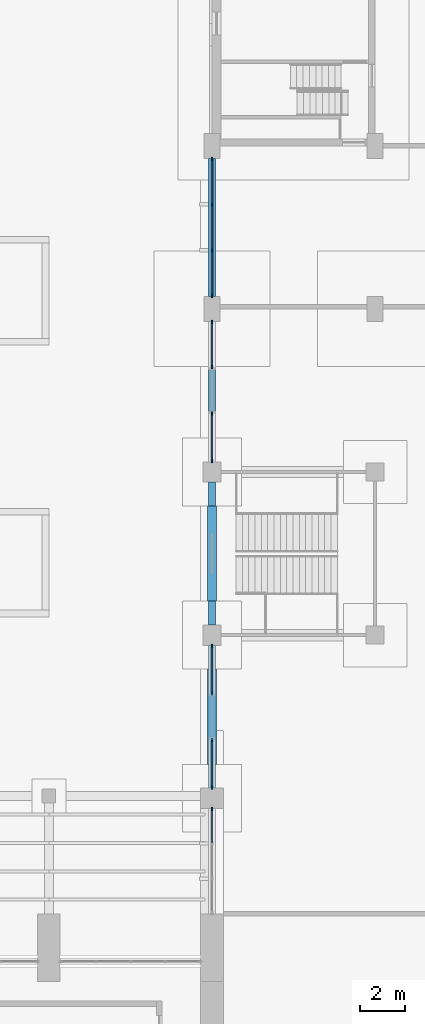
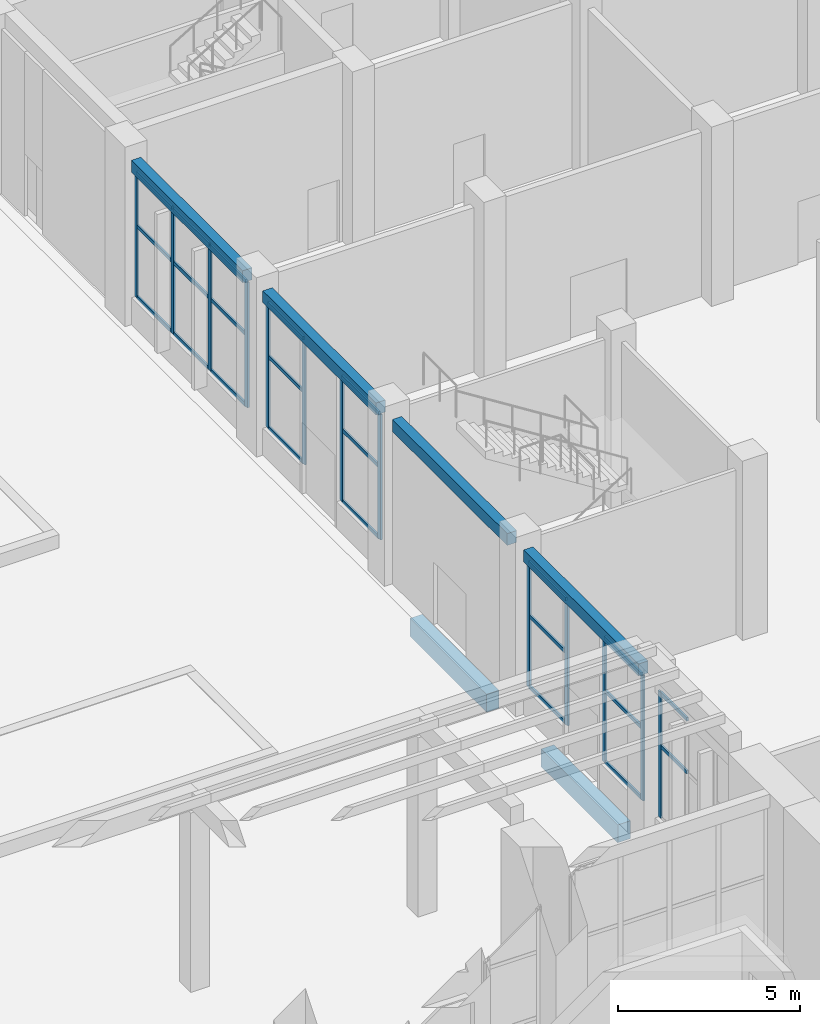
# One storey, part 22 of 70: 36 members, 6 beams, 6 elements without a shape of their own.
"""IFC4 building model written with IfcOpenShell, lengths in metres."""

from ifc_helpers import new_model, si_unit, direction, frame, origin, origin_2d, place, context, subcontext, project, spatial, rectangle, extrude, material, layer, layer_set, material_profile, profile_set, type_object, element, aggregate, save


model = new_model("IFC4")

# Units and contexts
model_context = context("Model", 3, precision=1e-05, world=origin(), true_north=direction((0.0, 1.0)))
body_context = subcontext(model_context, "Body", "Model", "MODEL_VIEW")
ifc_project = project(units=[si_unit("LENGTHUNIT", "METRE"), si_unit("AREAUNIT", "SQUARE_METRE"), si_unit("VOLUMEUNIT", "CUBIC_METRE"), si_unit("PLANEANGLEUNIT", "RADIAN"), si_unit("MASSUNIT", "GRAM", prefix="KILO")], contexts=[model_context])

# Site, building, storey
site_placement = place(None, origin())
site = spatial("IfcSite", under=ifc_project, at=site_placement, CompositionType="ELEMENT")
building_placement = place(site_placement, origin())
building = spatial("IfcBuilding", under=site, at=building_placement, Name="Vermilion Court Aquatics Centre", CompositionType="ELEMENT")
storey_placement = place(building_placement, origin())
storey = spatial("IfcBuildingStorey", under=building, at=storey_placement, Name="L00", CompositionType="ELEMENT", Elevation=0.0)

# Curtain wall, member
ifc_material_1 = material(Name="Aluminium 6063-T5", Category="aluminium")
ifc_layer = layer(ifc_material_1, 0.14990234375)
ifc_layer_set = layer_set([ifc_layer], Name="Podium curtain wall bay, 1800 module")
curtain_wall_type = type_object("IfcCurtainWallType", Name="Podium curtain wall bay, 1800 module", PredefinedType="NOTDEFINED", material=ifc_layer_set)
curtain_wall_1_placement = place(storey_placement, origin())
curtain_wall_1 = element("IfcCurtainWall", 1, at=curtain_wall_1_placement, inside=storey, type_object=curtain_wall_type, Name="Curtain wall L00", PredefinedType="NOTDEFINED")
ifc_material_2 = material(Name="Aluminium 6063-T5", Category="aluminium")
ifc_material_profile_1 = material_profile(ifc_material_2, rectangle(XDim=0.06005859375, YDim=0.159912109375, at=origin_2d()), Name="Mullion 60x160")
ifc_profile_set_1 = profile_set([ifc_material_profile_1], Name="Aluminium 6063-T5")
member_type_1 = type_object("IfcMemberType", Name="Podium curtain wall mullion 60x160", PredefinedType="MULLION", material=ifc_profile_set_1)
member_1_placement = place(storey_placement, frame((144.0, 71.52001953125, 0.89990234375), z_axis=(0.0, 0.0, 1.0), x_axis=(-1.0, 0.0, 0.0)))
member_1 = element("IfcMember", 2, at=member_1_placement, type_object=member_type_1, Name="PG2 mullion 4", PredefinedType="MULLION", context=body_context, shape_type="SweptSolid", body=[
    extrude(rectangle(XDim=0.06005859375, YDim=0.159912109375, at=origin_2d()), origin(), (0.0, 0.0, 1.0), 4.2001953125),
])

# Curtain wall, members
curtain_wall_2_placement = place(storey_placement, origin())
curtain_wall_2 = element("IfcCurtainWall", 3, at=curtain_wall_2_placement, inside=storey, type_object=curtain_wall_type, Name="Curtain wall L00", PredefinedType="NOTDEFINED")
member_2_placement = place(storey_placement, frame((144.0, 72.47998046875, 0.89990234375), z_axis=(0.0, 0.0, 1.0), x_axis=(-1.0, 0.0, 0.0)))
member_2 = element("IfcMember", 4, at=member_2_placement, type_object=member_type_1, Name="PG2 mullion 1", PredefinedType="MULLION", context=body_context, shape_type="SweptSolid", body=[
    extrude(rectangle(XDim=0.06005859375, YDim=0.159912109375, at=origin_2d()), origin(), (0.0, 0.0, 1.0), 4.2001953125),
])
member_3_placement = place(storey_placement, frame((144.0, 74.570068359375, 0.89990234375), z_axis=(0.0, 0.0, 1.0), x_axis=(-1.0, 0.0, 0.0)))
member_3 = element("IfcMember", 5, at=member_3_placement, type_object=member_type_1, Name="PG2 mullion 2", PredefinedType="MULLION", context=body_context, shape_type="SweptSolid", body=[
    extrude(rectangle(XDim=0.06005859375, YDim=0.159912109375, at=origin_2d()), origin(), (0.0, 0.0, 1.0), 4.2001953125),
])

curtain_wall_3_placement = place(storey_placement, origin())
curtain_wall_3 = element("IfcCurtainWall", 6, at=curtain_wall_3_placement, inside=storey, type_object=curtain_wall_type, Name="Curtain wall L00", PredefinedType="NOTDEFINED")
member_4_placement = place(storey_placement, frame((144.0, 76.6298828125, 0.89990234375), z_axis=(0.0, 0.0, 1.0), x_axis=(-1.0, 0.0, 0.0)))
member_4 = element("IfcMember", 7, at=member_4_placement, type_object=member_type_1, Name="PG2 mullion 1", PredefinedType="MULLION", context=body_context, shape_type="SweptSolid", body=[
    extrude(rectangle(XDim=0.06005859375, YDim=0.159912109375, at=origin_2d()), origin(), (0.0, 0.0, 1.0), 4.2001953125),
])
member_5_placement = place(storey_placement, frame((144.0, 78.719970703125, 0.89990234375), z_axis=(0.0, 0.0, 1.0), x_axis=(-1.0, 0.0, 0.0)))
member_5 = element("IfcMember", 8, at=member_5_placement, type_object=member_type_1, Name="PG2 mullion 2", PredefinedType="MULLION", context=body_context, shape_type="SweptSolid", body=[
    extrude(rectangle(XDim=0.06005859375, YDim=0.159912109375, at=origin_2d()), origin(), (0.0, 0.0, 1.0), 4.2001953125),
])

curtain_wall_4_placement = place(storey_placement, origin())
curtain_wall_4 = element("IfcCurtainWall", 9, at=curtain_wall_4_placement, inside=storey, type_object=curtain_wall_type, Name="Curtain wall L00", PredefinedType="NOTDEFINED")
member_6_placement = place(storey_placement, frame((144.0, 86.8798828125, 0.89990234375), z_axis=(0.0, 0.0, 1.0), x_axis=(-1.0, 0.0, 0.0)))
member_6 = element("IfcMember", 10, at=member_6_placement, type_object=member_type_1, Name="PG2 mullion 1", PredefinedType="MULLION", context=body_context, shape_type="SweptSolid", body=[
    extrude(rectangle(XDim=0.06005859375, YDim=0.159912109375, at=origin_2d()), origin(), (0.0, 0.0, 1.0), 4.2001953125),
])
member_7_placement = place(storey_placement, frame((144.0, 88.969970703125, 0.89990234375), z_axis=(0.0, 0.0, 1.0), x_axis=(-1.0, 0.0, 0.0)))
member_7 = element("IfcMember", 11, at=member_7_placement, type_object=member_type_1, Name="PG2 mullion 2", PredefinedType="MULLION", context=body_context, shape_type="SweptSolid", body=[
    extrude(rectangle(XDim=0.06005859375, YDim=0.159912109375, at=origin_2d()), origin(), (0.0, 0.0, 1.0), 4.2001953125),
])

curtain_wall_5_placement = place(storey_placement, origin())
curtain_wall_5 = element("IfcCurtainWall", 12, at=curtain_wall_5_placement, inside=storey, type_object=curtain_wall_type, Name="Curtain wall L00", PredefinedType="NOTDEFINED")
member_8_placement = place(storey_placement, frame((144.0, 91.030029296875, 0.89990234375), z_axis=(0.0, 0.0, 1.0), x_axis=(-1.0, 0.0, 0.0)))
member_8 = element("IfcMember", 13, at=member_8_placement, type_object=member_type_1, Name="PG2 mullion 1", PredefinedType="MULLION", context=body_context, shape_type="SweptSolid", body=[
    extrude(rectangle(XDim=0.06005859375, YDim=0.159912109375, at=origin_2d()), origin(), (0.0, 0.0, 1.0), 4.2001953125),
])
member_9_placement = place(storey_placement, frame((144.0, 93.02001953125, 0.89990234375), z_axis=(0.0, 0.0, 1.0), x_axis=(-1.0, 0.0, 0.0)))
member_9 = element("IfcMember", 14, at=member_9_placement, type_object=member_type_1, Name="PG2 mullion 2", PredefinedType="MULLION", context=body_context, shape_type="SweptSolid", body=[
    extrude(rectangle(XDim=0.06005859375, YDim=0.159912109375, at=origin_2d()), origin(), (0.0, 0.0, 1.0), 4.2001953125),
])

curtain_wall_6_placement = place(storey_placement, origin())
curtain_wall_6 = element("IfcCurtainWall", 15, at=curtain_wall_6_placement, inside=storey, type_object=curtain_wall_type, Name="Curtain wall L00", PredefinedType="NOTDEFINED")
member_10_placement = place(storey_placement, frame((144.0, 94.179931640625, 0.89990234375), z_axis=(0.0, 0.0, 1.0), x_axis=(-1.0, 0.0, 0.0)))
member_10 = element("IfcMember", 16, at=member_10_placement, type_object=member_type_1, Name="PG2 mullion 1", PredefinedType="MULLION", context=body_context, shape_type="SweptSolid", body=[
    extrude(rectangle(XDim=0.06005859375, YDim=0.159912109375, at=origin_2d()), origin(), (0.0, 0.0, 1.0), 4.2001953125),
])
member_11_placement = place(storey_placement, frame((144.0, 96.183349609375, 0.89990234375), z_axis=(0.0, 0.0, 1.0), x_axis=(-1.0, 0.0, 0.0)))
member_11 = element("IfcMember", 17, at=member_11_placement, type_object=member_type_1, Name="PG2 mullion 2", PredefinedType="MULLION", context=body_context, shape_type="SweptSolid", body=[
    extrude(rectangle(XDim=0.06005859375, YDim=0.159912109375, at=origin_2d()), origin(), (0.0, 0.0, 1.0), 4.2001953125),
])
member_12_placement = place(storey_placement, frame((144.0, 98.216552734375, 0.89990234375), z_axis=(0.0, 0.0, 1.0), x_axis=(-1.0, 0.0, 0.0)))
member_12 = element("IfcMember", 18, at=member_12_placement, type_object=member_type_1, Name="PG2 mullion 3", PredefinedType="MULLION", context=body_context, shape_type="SweptSolid", body=[
    extrude(rectangle(XDim=0.06005859375, YDim=0.159912109375, at=origin_2d()), origin(), (0.0, 0.0, 1.0), 4.2001953125),
])
member_13_placement = place(storey_placement, frame((144.0, 100.219970703125, 0.89990234375), z_axis=(0.0, 0.0, 1.0), x_axis=(-1.0, 0.0, 0.0)))
member_13 = element("IfcMember", 19, at=member_13_placement, type_object=member_type_1, Name="PG2 mullion 4", PredefinedType="MULLION", context=body_context, shape_type="SweptSolid", body=[
    extrude(rectangle(XDim=0.06005859375, YDim=0.159912109375, at=origin_2d()), origin(), (0.0, 0.0, 1.0), 4.2001953125),
])

# Member
ifc_material_3 = material(Name="Aluminium 6063-T5", Category="aluminium")
ifc_material_profile_2 = material_profile(ifc_material_3, rectangle(XDim=0.06005859375, YDim=0.1201171875, at=origin_2d()), Name="Transom 60x120")
ifc_profile_set_2 = profile_set([ifc_material_profile_2], Name="Aluminium 6063-T5")
member_type_2 = type_object("IfcMemberType", Name="Podium curtain wall transom 60x120", PredefinedType="USERDEFINED", material=ifc_profile_set_2)
member_14_placement = place(storey_placement, frame((144.0, 70.030029296875, 3.300048828125), z_axis=(0.0, 1.0, 0.0), x_axis=(-1.0, 0.0, 0.0)))
member_14 = element("IfcMember", 20, at=member_14_placement, type_object=member_type_2, Name="PG2 transom 3.2", ObjectType="TRANSOM", PredefinedType="USERDEFINED", context=body_context, shape_type="SweptSolid", body=[
    extrude(rectangle(XDim=0.06005859375, YDim=0.1201171875, at=origin_2d()), origin(), (0.0, 0.0, 1.0), 1.4599609375),
])

member_15_placement = place(storey_placement, frame((144.0, 70.030029296875, 5.070068359375), z_axis=(0.0, 1.0, 0.0), x_axis=(-1.0, 0.0, 0.0)))
member_15 = element("IfcMember", 21, at=member_15_placement, type_object=member_type_2, Name="PG2 transom 3.3", ObjectType="TRANSOM", PredefinedType="USERDEFINED", context=body_context, shape_type="SweptSolid", body=[
    extrude(rectangle(XDim=0.06005859375, YDim=0.1201171875, at=origin_2d()), origin(), (0.0, 0.0, 1.0), 1.4599609375),
])

aggregate(curtain_wall_1, [member_1, member_14, member_15])

member_16_placement = place(storey_placement, frame((144.0, 72.510009765625, 0.929931640625), z_axis=(0.0, 1.0, 0.0), x_axis=(-1.0, 0.0, 0.0)))
member_16 = element("IfcMember", 22, at=member_16_placement, type_object=member_type_2, Name="PG2 transom 1.1", ObjectType="TRANSOM", PredefinedType="USERDEFINED", context=body_context, shape_type="SweptSolid", body=[
    extrude(rectangle(XDim=0.06005859375, YDim=0.1201171875, at=origin_2d()), origin(), (0.0, 0.0, 1.0), 2.030029296875),
])

member_17_placement = place(storey_placement, frame((144.0, 72.510009765625, 3.300048828125), z_axis=(0.0, 1.0, 0.0), x_axis=(-1.0, 0.0, 0.0)))
member_17 = element("IfcMember", 23, at=member_17_placement, type_object=member_type_2, Name="PG2 transom 1.2", ObjectType="TRANSOM", PredefinedType="USERDEFINED", context=body_context, shape_type="SweptSolid", body=[
    extrude(rectangle(XDim=0.06005859375, YDim=0.1201171875, at=origin_2d()), origin(), (0.0, 0.0, 1.0), 2.030029296875),
])

member_18_placement = place(storey_placement, frame((144.0, 72.510009765625, 5.070068359375), z_axis=(0.0, 1.0, 0.0), x_axis=(-1.0, 0.0, 0.0)))
member_18 = element("IfcMember", 24, at=member_18_placement, type_object=member_type_2, Name="PG2 transom 1.3", ObjectType="TRANSOM", PredefinedType="USERDEFINED", context=body_context, shape_type="SweptSolid", body=[
    extrude(rectangle(XDim=0.06005859375, YDim=0.1201171875, at=origin_2d()), origin(), (0.0, 0.0, 1.0), 2.030029296875),
])

aggregate(curtain_wall_2, [member_2, member_3, member_16, member_17, member_18])

member_19_placement = place(storey_placement, frame((144.0, 76.659912109375, 0.929931640625), z_axis=(0.0, 1.0, 0.0), x_axis=(-1.0, 0.0, 0.0)))
member_19 = element("IfcMember", 25, at=member_19_placement, type_object=member_type_2, Name="PG2 transom 1.1", ObjectType="TRANSOM", PredefinedType="USERDEFINED", context=body_context, shape_type="SweptSolid", body=[
    extrude(rectangle(XDim=0.06005859375, YDim=0.1201171875, at=origin_2d()), origin(), (0.0, 0.0, 1.0), 2.030029296875),
])

member_20_placement = place(storey_placement, frame((144.0, 76.659912109375, 3.300048828125), z_axis=(0.0, 1.0, 0.0), x_axis=(-1.0, 0.0, 0.0)))
member_20 = element("IfcMember", 26, at=member_20_placement, type_object=member_type_2, Name="PG2 transom 1.2", ObjectType="TRANSOM", PredefinedType="USERDEFINED", context=body_context, shape_type="SweptSolid", body=[
    extrude(rectangle(XDim=0.06005859375, YDim=0.1201171875, at=origin_2d()), origin(), (0.0, 0.0, 1.0), 2.030029296875),
])

member_21_placement = place(storey_placement, frame((144.0, 76.659912109375, 5.070068359375), z_axis=(0.0, 1.0, 0.0), x_axis=(-1.0, 0.0, 0.0)))
member_21 = element("IfcMember", 27, at=member_21_placement, type_object=member_type_2, Name="PG2 transom 1.3", ObjectType="TRANSOM", PredefinedType="USERDEFINED", context=body_context, shape_type="SweptSolid", body=[
    extrude(rectangle(XDim=0.06005859375, YDim=0.1201171875, at=origin_2d()), origin(), (0.0, 0.0, 1.0), 2.030029296875),
])

aggregate(curtain_wall_3, [member_4, member_5, member_19, member_20, member_21])

member_22_placement = place(storey_placement, frame((144.0, 86.909912109375, 0.929931640625), z_axis=(0.0, 1.0, 0.0), x_axis=(-1.0, 0.0, 0.0)))
member_22 = element("IfcMember", 28, at=member_22_placement, type_object=member_type_2, Name="PG2 transom 1.1", ObjectType="TRANSOM", PredefinedType="USERDEFINED", context=body_context, shape_type="SweptSolid", body=[
    extrude(rectangle(XDim=0.06005859375, YDim=0.1201171875, at=origin_2d()), origin(), (0.0, 0.0, 1.0), 2.030029296875),
])

member_23_placement = place(storey_placement, frame((144.0, 86.909912109375, 3.300048828125), z_axis=(0.0, 1.0, 0.0), x_axis=(-1.0, 0.0, 0.0)))
member_23 = element("IfcMember", 29, at=member_23_placement, type_object=member_type_2, Name="PG2 transom 1.2", ObjectType="TRANSOM", PredefinedType="USERDEFINED", context=body_context, shape_type="SweptSolid", body=[
    extrude(rectangle(XDim=0.06005859375, YDim=0.1201171875, at=origin_2d()), origin(), (0.0, 0.0, 1.0), 2.030029296875),
])

member_24_placement = place(storey_placement, frame((144.0, 86.909912109375, 5.070068359375), z_axis=(0.0, 1.0, 0.0), x_axis=(-1.0, 0.0, 0.0)))
member_24 = element("IfcMember", 30, at=member_24_placement, type_object=member_type_2, Name="PG2 transom 1.3", ObjectType="TRANSOM", PredefinedType="USERDEFINED", context=body_context, shape_type="SweptSolid", body=[
    extrude(rectangle(XDim=0.06005859375, YDim=0.1201171875, at=origin_2d()), origin(), (0.0, 0.0, 1.0), 2.030029296875),
])

aggregate(curtain_wall_4, [member_6, member_7, member_22, member_23, member_24])

member_25_placement = place(storey_placement, frame((144.0, 91.06005859375, 0.929931640625), z_axis=(0.0, 1.0, 0.0), x_axis=(-1.0, 0.0, 0.0)))
member_25 = element("IfcMember", 31, at=member_25_placement, type_object=member_type_2, Name="PG2 transom 1.1", ObjectType="TRANSOM", PredefinedType="USERDEFINED", context=body_context, shape_type="SweptSolid", body=[
    extrude(rectangle(XDim=0.06005859375, YDim=0.1201171875, at=origin_2d()), origin(), (0.0, 0.0, 1.0), 1.929931640625),
])

member_26_placement = place(storey_placement, frame((144.0, 91.06005859375, 3.300048828125), z_axis=(0.0, 1.0, 0.0), x_axis=(-1.0, 0.0, 0.0)))
member_26 = element("IfcMember", 32, at=member_26_placement, type_object=member_type_2, Name="PG2 transom 1.2", ObjectType="TRANSOM", PredefinedType="USERDEFINED", context=body_context, shape_type="SweptSolid", body=[
    extrude(rectangle(XDim=0.06005859375, YDim=0.1201171875, at=origin_2d()), origin(), (0.0, 0.0, 1.0), 1.929931640625),
])

member_27_placement = place(storey_placement, frame((144.0, 91.06005859375, 5.070068359375), z_axis=(0.0, 1.0, 0.0), x_axis=(-1.0, 0.0, 0.0)))
member_27 = element("IfcMember", 33, at=member_27_placement, type_object=member_type_2, Name="PG2 transom 1.3", ObjectType="TRANSOM", PredefinedType="USERDEFINED", context=body_context, shape_type="SweptSolid", body=[
    extrude(rectangle(XDim=0.06005859375, YDim=0.1201171875, at=origin_2d()), origin(), (0.0, 0.0, 1.0), 1.929931640625),
])

aggregate(curtain_wall_5, [member_8, member_9, member_25, member_26, member_27])

member_28_placement = place(storey_placement, frame((144.0, 94.2099609375, 0.929931640625), z_axis=(0.0, 1.0, 0.0), x_axis=(-1.0, 0.0, 0.0)))
member_28 = element("IfcMember", 34, at=member_28_placement, type_object=member_type_2, Name="PG2 transom 1.1", ObjectType="TRANSOM", PredefinedType="USERDEFINED", context=body_context, shape_type="SweptSolid", body=[
    extrude(rectangle(XDim=0.06005859375, YDim=0.1201171875, at=origin_2d()), origin(), (0.0, 0.0, 1.0), 1.943359375),
])

member_29_placement = place(storey_placement, frame((144.0, 94.2099609375, 3.300048828125), z_axis=(0.0, 1.0, 0.0), x_axis=(-1.0, 0.0, 0.0)))
member_29 = element("IfcMember", 35, at=member_29_placement, type_object=member_type_2, Name="PG2 transom 1.2", ObjectType="TRANSOM", PredefinedType="USERDEFINED", context=body_context, shape_type="SweptSolid", body=[
    extrude(rectangle(XDim=0.06005859375, YDim=0.1201171875, at=origin_2d()), origin(), (0.0, 0.0, 1.0), 1.943359375),
])

member_30_placement = place(storey_placement, frame((144.0, 94.2099609375, 5.070068359375), z_axis=(0.0, 1.0, 0.0), x_axis=(-1.0, 0.0, 0.0)))
member_30 = element("IfcMember", 36, at=member_30_placement, type_object=member_type_2, Name="PG2 transom 1.3", ObjectType="TRANSOM", PredefinedType="USERDEFINED", context=body_context, shape_type="SweptSolid", body=[
    extrude(rectangle(XDim=0.06005859375, YDim=0.1201171875, at=origin_2d()), origin(), (0.0, 0.0, 1.0), 1.943359375),
])

member_31_placement = place(storey_placement, frame((144.0, 96.21337890625, 0.929931640625), z_axis=(0.0, 1.0, 0.0), x_axis=(-1.0, 0.0, 0.0)))
member_31 = element("IfcMember", 37, at=member_31_placement, type_object=member_type_2, Name="PG2 transom 2.1", ObjectType="TRANSOM", PredefinedType="USERDEFINED", context=body_context, shape_type="SweptSolid", body=[
    extrude(rectangle(XDim=0.06005859375, YDim=0.1201171875, at=origin_2d()), origin(), (0.0, 0.0, 1.0), 1.973388671875),
])

member_32_placement = place(storey_placement, frame((144.0, 96.21337890625, 3.300048828125), z_axis=(0.0, 1.0, 0.0), x_axis=(-1.0, 0.0, 0.0)))
member_32 = element("IfcMember", 38, at=member_32_placement, type_object=member_type_2, Name="PG2 transom 2.2", ObjectType="TRANSOM", PredefinedType="USERDEFINED", context=body_context, shape_type="SweptSolid", body=[
    extrude(rectangle(XDim=0.06005859375, YDim=0.1201171875, at=origin_2d()), origin(), (0.0, 0.0, 1.0), 1.973388671875),
])

member_33_placement = place(storey_placement, frame((144.0, 96.21337890625, 5.070068359375), z_axis=(0.0, 1.0, 0.0), x_axis=(-1.0, 0.0, 0.0)))
member_33 = element("IfcMember", 39, at=member_33_placement, type_object=member_type_2, Name="PG2 transom 2.3", ObjectType="TRANSOM", PredefinedType="USERDEFINED", context=body_context, shape_type="SweptSolid", body=[
    extrude(rectangle(XDim=0.06005859375, YDim=0.1201171875, at=origin_2d()), origin(), (0.0, 0.0, 1.0), 1.973388671875),
])

member_34_placement = place(storey_placement, frame((144.0, 98.24658203125, 0.929931640625), z_axis=(0.0, 1.0, 0.0), x_axis=(-1.0, 0.0, 0.0)))
member_34 = element("IfcMember", 40, at=member_34_placement, type_object=member_type_2, Name="PG2 transom 3.1", ObjectType="TRANSOM", PredefinedType="USERDEFINED", context=body_context, shape_type="SweptSolid", body=[
    extrude(rectangle(XDim=0.06005859375, YDim=0.1201171875, at=origin_2d()), origin(), (0.0, 0.0, 1.0), 1.943359375),
])

member_35_placement = place(storey_placement, frame((144.0, 98.24658203125, 3.300048828125), z_axis=(0.0, 1.0, 0.0), x_axis=(-1.0, 0.0, 0.0)))
member_35 = element("IfcMember", 41, at=member_35_placement, type_object=member_type_2, Name="PG2 transom 3.2", ObjectType="TRANSOM", PredefinedType="USERDEFINED", context=body_context, shape_type="SweptSolid", body=[
    extrude(rectangle(XDim=0.06005859375, YDim=0.1201171875, at=origin_2d()), origin(), (0.0, 0.0, 1.0), 1.943359375),
])

member_36_placement = place(storey_placement, frame((144.0, 98.24658203125, 5.070068359375), z_axis=(0.0, 1.0, 0.0), x_axis=(-1.0, 0.0, 0.0)))
member_36 = element("IfcMember", 42, at=member_36_placement, type_object=member_type_2, Name="PG2 transom 3.3", ObjectType="TRANSOM", PredefinedType="USERDEFINED", context=body_context, shape_type="SweptSolid", body=[
    extrude(rectangle(XDim=0.06005859375, YDim=0.1201171875, at=origin_2d()), origin(), (0.0, 0.0, 1.0), 1.943359375),
])

aggregate(curtain_wall_6, [member_10, member_11, member_12, member_13, member_28, member_29, member_30, member_31, member_32, member_33, member_34, member_35, member_36])

# Beams
ifc_material_4 = material(Name="Concrete 5000 psi", Category="concrete")
ifc_material_profile_3 = material_profile(ifc_material_4, rectangle(XDim=0.39990234375, YDim=0.60009765625, at=origin_2d()), Name="RC 400x600")
ifc_profile_set_3 = profile_set([ifc_material_profile_3], Name="Concrete 5000 psi")
beam_type_1 = type_object("IfcBeamType", Name="Podium grade beam RC 400x600", PredefinedType="BEAM", material=ifc_profile_set_3)
for number, where, z_axis, x_axis, name in (
    (43, (144.0, 73.5, -0.800048828125), (0.0, 1.0, 0.0), (-1.0, 0.0, 0.0), "Grade beam W"),
    (44, (144.0, 80.699951171875, -0.800048828125), (0.0, 1.0, 0.0), (-1.0, 0.0, 0.0), "Grade beam W"),
):
    element("IfcBeam", number, at=place(storey_placement, frame(where, z_axis=z_axis, x_axis=x_axis)), inside=storey, type_object=beam_type_1, Name=name, PredefinedType="BEAM", context=body_context, shape_type="SweptSolid", body=[
        extrude(rectangle(XDim=0.39990234375, YDim=0.60009765625, at=origin_2d()), origin(), (0.0, 0.0, 1.0), 4.199951171875),
    ])
ifc_material_5 = material(Name="Concrete 5000 psi", Category="concrete")
ifc_material_profile_4 = material_profile(ifc_material_5, rectangle(XDim=0.300048828125, YDim=0.39990234375, at=origin_2d()), Name="RC 300x400")
ifc_profile_set_4 = profile_set([ifc_material_profile_4], Name="Concrete 5000 psi")
beam_type_2 = type_object("IfcBeamType", Name="Podium spandrel beam RC 300x400", PredefinedType="BEAM", material=ifc_profile_set_4)
for number, where, z_axis, x_axis, name in (
    (45, (144.0, 72.449951171875, 5.300048828125), (0.0, 1.0, 0.0), (-1.0, 0.0, 0.0), "Spandrel beam L00"),
    (46, (144.0, 79.64990234375, 5.300048828125), (0.0, 1.0, 0.0), (-1.0, 0.0, 0.0), "Spandrel beam L00"),
):
    element("IfcBeam", number, at=place(storey_placement, frame(where, z_axis=z_axis, x_axis=x_axis)), inside=storey, type_object=beam_type_2, Name=name, PredefinedType="BEAM", context=body_context, shape_type="SweptSolid", body=[
        extrude(rectangle(XDim=0.300048828125, YDim=0.39990234375, at=origin_2d()), origin(), (0.0, 0.0, 1.0), 6.300048828125),
    ])
beam_1_placement = place(storey_placement, frame((144.0, 86.85009765625, 5.300048828125), z_axis=(0.0, 1.0, 0.0), x_axis=(-1.0, 0.0, 0.0)))
element("IfcBeam", 47, at=beam_1_placement, inside=storey, type_object=beam_type_2, Name="Spandrel beam L00", PredefinedType="BEAM", context=body_context, shape_type="SweptSolid", body=[
    extrude(rectangle(XDim=0.300048828125, YDim=0.39990234375, at=origin_2d()), origin(), (0.0, 0.0, 1.0), 6.199951171875),
])
beam_2_placement = place(storey_placement, frame((144.0, 94.14990234375, 5.300048828125), z_axis=(0.0, 1.0, 0.0), x_axis=(-1.0, 0.0, 0.0)))
element("IfcBeam", 48, at=beam_2_placement, inside=storey, type_object=beam_type_2, Name="Spandrel beam L00", PredefinedType="BEAM", context=body_context, shape_type="SweptSolid", body=[
    extrude(rectangle(XDim=0.300048828125, YDim=0.39990234375, at=origin_2d()), origin(), (0.0, 0.0, 1.0), 6.10009765625),
])

save(model, "model.ifc")
